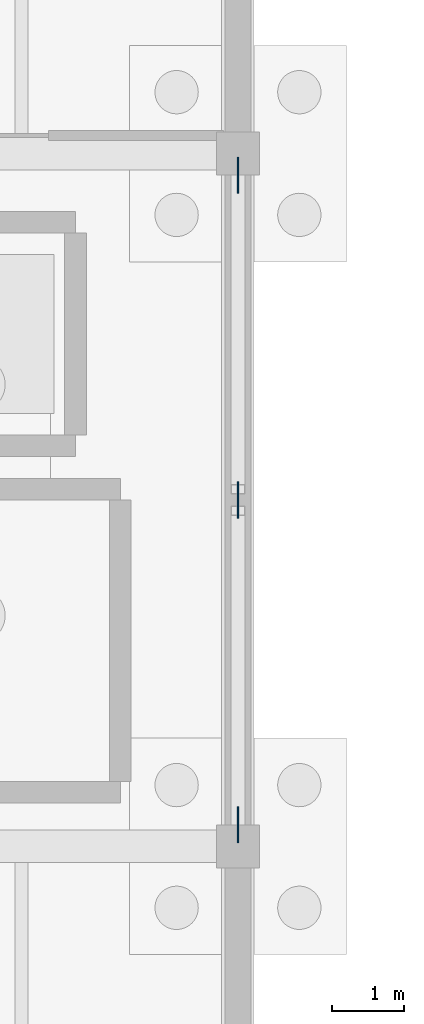
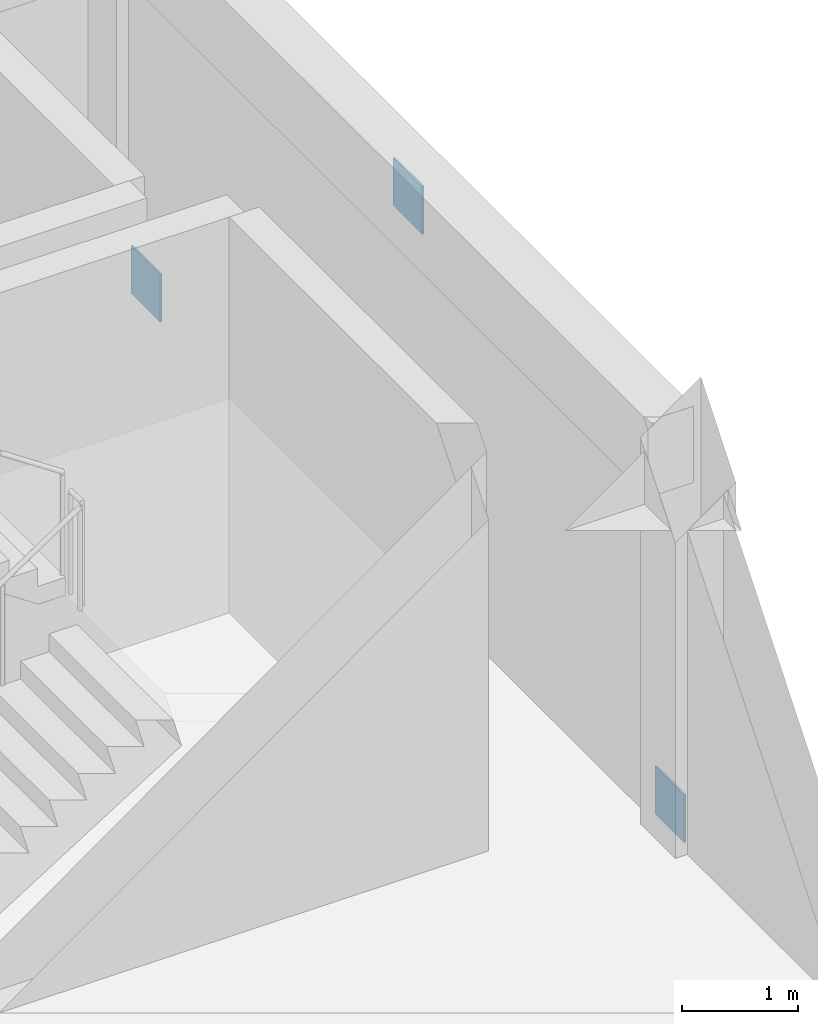
# One storey, part 10 of 20: 3 plates.
"""IFC4 building model written with IfcOpenShell, lengths in metres."""

from ifc_helpers import new_model, si_unit, direction, frame, origin, origin_2d, place, context, subcontext, project, spatial, rectangle, extrude, material, layer, layer_set, type_object, element, save


model = new_model("IFC4")

# Units and contexts
model_context = context("Model", 3, precision=1e-05, world=origin(), true_north=direction((0.0, 1.0)))
body_context = subcontext(model_context, "Body", "Model", "MODEL_VIEW")
ifc_project = project(units=[si_unit("LENGTHUNIT", "METRE"), si_unit("AREAUNIT", "SQUARE_METRE"), si_unit("VOLUMEUNIT", "CUBIC_METRE"), si_unit("PLANEANGLEUNIT", "RADIAN"), si_unit("MASSUNIT", "GRAM", prefix="KILO")], contexts=[model_context])

# Site, building, storey
site_placement = place(None, origin())
site = spatial("IfcSite", under=ifc_project, at=site_placement, CompositionType="ELEMENT")
building_placement = place(site_placement, origin())
building = spatial("IfcBuilding", under=site, at=building_placement, Name="Pandanus Reach Market Hall", CompositionType="ELEMENT")
storey_placement = place(building_placement, frame((0.0, 0.0, -4.5)))
storey = spatial("IfcBuildingStorey", under=building, at=storey_placement, Name="B1", CompositionType="ELEMENT", Elevation=-4.5)

# Plates
ifc_material = material(Name="Steel Grade 350 (350 MPa)", Category="steel")
ifc_layer = layer(ifc_material, 0.02001953125, Name="GS-PL20")
ifc_layer_set = layer_set([ifc_layer], Name="Steel Grade 350 (350 MPa)")
plate_type = type_object("IfcPlateType", Name="GS-PL20", PredefinedType="SHEET", material=ifc_layer_set)
for number, where, z_axis, x_axis, name in (
    (1, (180.0, 67.5, -0.14990234375), (0.0, 0.0, 1.0), (0.0, 1.0, 0.0), "Brace gusset plate GS-PL20 4L"),
    (2, (180.0, 72.0, 3.5), (0.0, 0.0, 1.0), (0.0, 1.0, 0.0), "Brace gusset plate GS-PL20 4M"),
    (3, (180.0, 76.5, -0.14990234375), (0.0, 0.0, 1.0), (0.0, 1.0, 0.0), "Brace gusset plate GS-PL20 4R"),
):
    element("IfcPlate", number, at=place(storey_placement, frame(where, z_axis=z_axis, x_axis=x_axis)), inside=storey, type_object=plate_type, Name=name, PredefinedType="SHEET", context=body_context, shape_type="SweptSolid", body=[
        extrude(rectangle(XDim=0.5, YDim=0.02001953125, at=origin_2d()), origin(), (0.0, 0.0, 1.0), 0.5),
    ])

save(model, "model.ifc")
